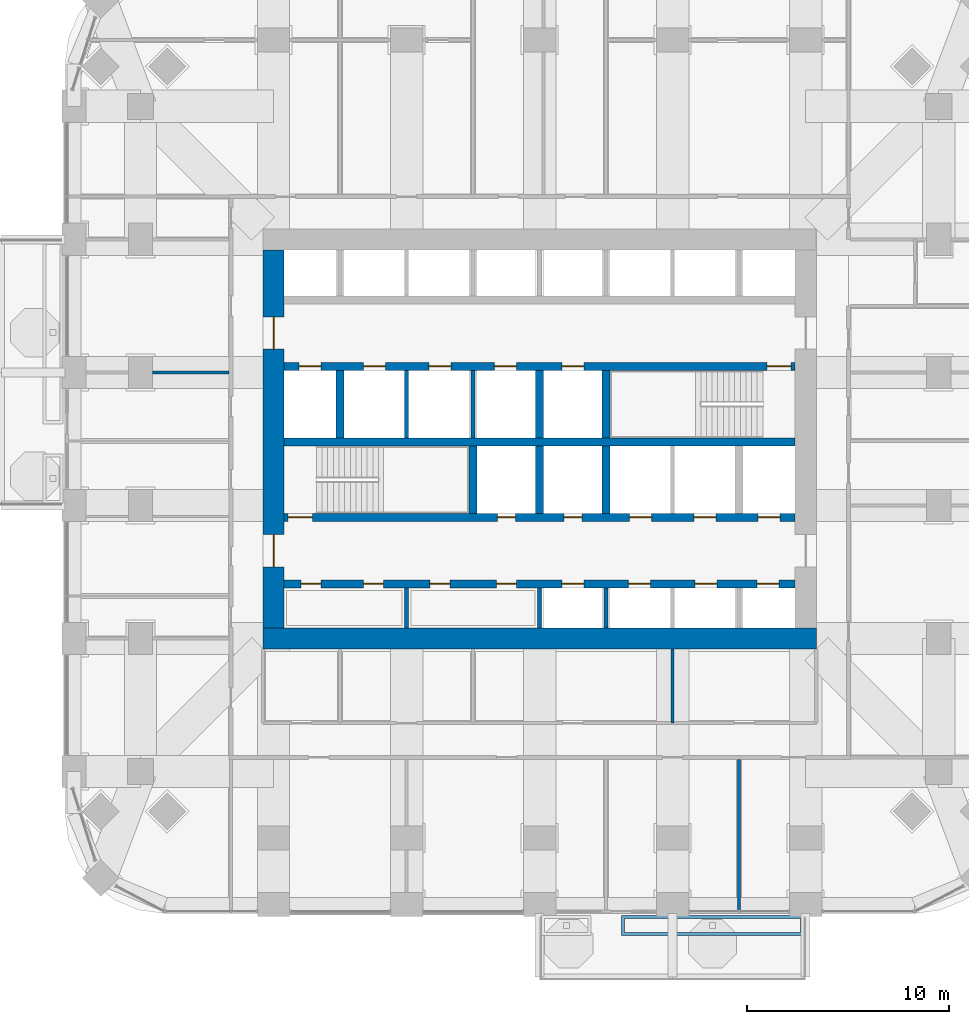
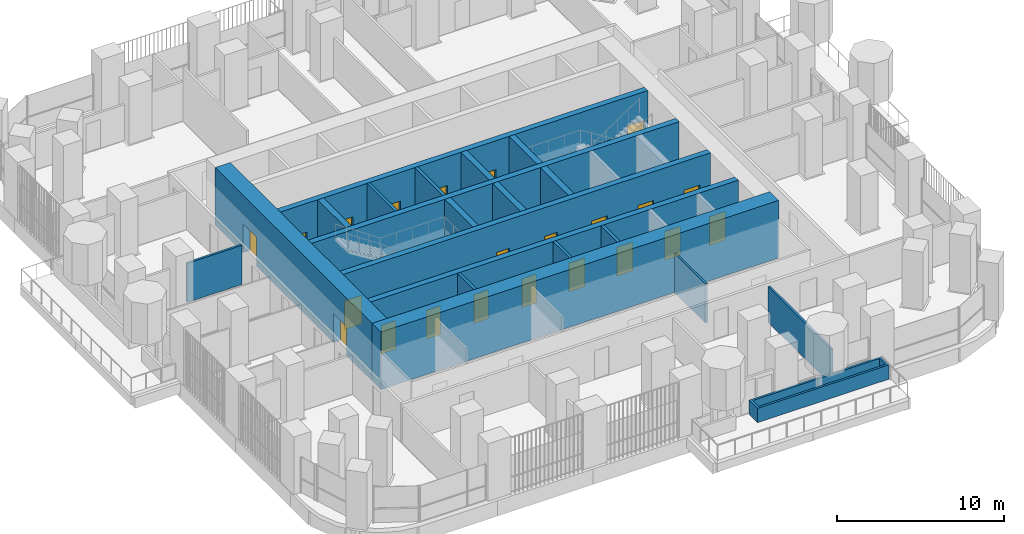
# One storey, part 15 of 22: 22 doors, 21 walls, 22 openings.
"""IFC4 building model written with IfcOpenShell, lengths in metres."""

from ifc_helpers import new_model, si_unit, direction, frame, frame_2d, origin, place, context, subcontext, project, spatial, polyline, rectangle, outline, extrude, material, layer, layer_set, type_object, element, fill, save


model = new_model("IFC4")

# Units and contexts
model_context = context("Model", 3, precision=1e-05, world=origin(), true_north=direction((0.0, 1.0)))
body_context = subcontext(model_context, "Body", "Model", "MODEL_VIEW")
ifc_project = project(units=[si_unit("LENGTHUNIT", "METRE"), si_unit("AREAUNIT", "SQUARE_METRE"), si_unit("VOLUMEUNIT", "CUBIC_METRE"), si_unit("PLANEANGLEUNIT", "RADIAN"), si_unit("MASSUNIT", "GRAM", prefix="KILO")], contexts=[model_context])

# Site, building, storey
site_placement = place(None, origin())
site = spatial("IfcSite", under=ifc_project, at=site_placement, CompositionType="ELEMENT")
building_placement = place(site_placement, origin())
building = spatial("IfcBuilding", under=site, at=building_placement, Name="Cobogo Forest Laboratory Tower", CompositionType="ELEMENT")
storey_placement = place(building_placement, frame((0.0, 0.0, 136.800048828125)))
storey = spatial("IfcBuildingStorey", under=building, at=storey_placement, Name="L31", CompositionType="ELEMENT", Elevation=136.800048828125)

# Wall, openings, doors
ifc_material_1 = material(Name="Concrete HA-50 (C50/60)", Category="concrete")
ifc_layer_1 = layer(ifc_material_1, 0.39990234375)
ifc_layer_set_1 = layer_set([ifc_layer_1], Name="CI400 core inner wall 400")
wall_type_1 = type_object("IfcWallType", Name="CI400 core inner wall 400", PredefinedType="SHEAR", material=ifc_layer_set_1)
wall_1_placement = place(storey_placement, frame((13.72509765625, 15.89990234375, 0.0), z_axis=(0.0, 0.0, 1.0), x_axis=(1.0, 0.0, 0.0)))
wall_1 = element("IfcWall", 1, at=wall_1_placement, inside=storey, type_object=wall_type_1, Name="Core wall CI-15.9 L31", PredefinedType="SHEAR", context=body_context, shape_type="SweptSolid", body=[
    extrude(rectangle(XDim=25.349853515625, YDim=0.39990234375, at=frame_2d((12.6748046875, 0.0))), origin(), (0.0, 0.0, 1.0), 4.199951171875),
])
opening_1_placement = place(wall_1_placement, frame((0.83740234375, 0.0, 0.0)))
opening_1 = element("IfcOpeningElement", 2, at=opening_1_placement, cuts=wall_1, Name="Opening L31-D13", PredefinedType="OPENING", context=body_context, shape_type="SweptSolid", body=[
    extrude(rectangle(XDim=1.0, YDim=2.10009765625, at=frame_2d((0.5, 1.050048828125))), frame((0.0, 0.2099609375, 0.0), z_axis=(0.0, -1.0, 0.0), x_axis=(1.0, 0.0, 0.0)), (0.0, 0.0, 1.0), 0.419921875),
])
opening_2_placement = place(wall_1_placement, frame((3.925048828125, 0.0, 0.0)))
opening_2 = element("IfcOpeningElement", 3, at=opening_2_placement, cuts=wall_1, Name="Opening L31-D14", PredefinedType="OPENING", context=body_context, shape_type="SweptSolid", body=[
    extrude(rectangle(XDim=1.0, YDim=2.10009765625, at=frame_2d((0.5, 1.050048828125))), frame((0.0, 0.2099609375, 0.0), z_axis=(0.0, -1.0, 0.0), x_axis=(1.0, 0.0, 0.0)), (0.0, 0.0, 1.0), 0.419921875),
])
opening_3_placement = place(wall_1_placement, frame((7.22509765625, 0.0, 0.0)))
opening_3 = element("IfcOpeningElement", 4, at=opening_3_placement, cuts=wall_1, Name="Opening L31-D15", PredefinedType="OPENING", context=body_context, shape_type="SweptSolid", body=[
    extrude(rectangle(XDim=1.0, YDim=2.10009765625, at=frame_2d((0.5, 1.050048828125))), frame((0.0, 0.2099609375, 0.0), z_axis=(0.0, -1.0, 0.0), x_axis=(1.0, 0.0, 0.0)), (0.0, 0.0, 1.0), 0.419921875),
])
opening_4_placement = place(wall_1_placement, frame((10.52490234375, 0.0, 0.0)))
opening_4 = element("IfcOpeningElement", 5, at=opening_4_placement, cuts=wall_1, Name="Opening L31-D16", PredefinedType="OPENING", context=body_context, shape_type="SweptSolid", body=[
    extrude(rectangle(XDim=1.0, YDim=2.10009765625, at=frame_2d((0.5, 1.050048828125))), frame((0.0, 0.2099609375, 0.0), z_axis=(0.0, -1.0, 0.0), x_axis=(1.0, 0.0, 0.0)), (0.0, 0.0, 1.0), 0.419921875),
])
opening_5_placement = place(wall_1_placement, frame((13.77490234375, 0.0, 0.0)))
opening_5 = element("IfcOpeningElement", 6, at=opening_5_placement, cuts=wall_1, Name="Opening L31-LD-LB1", PredefinedType="OPENING", context=body_context, shape_type="SweptSolid", body=[
    extrude(rectangle(XDim=1.10009765625, YDim=2.10009765625, at=frame_2d((0.550048828125, 1.050048828125))), frame((0.0, 0.2099609375, 0.0), z_axis=(0.0, -1.0, 0.0), x_axis=(1.0, 0.0, 0.0)), (0.0, 0.0, 1.0), 0.419921875),
])
opening_6_placement = place(wall_1_placement, frame((17.074951171875, 0.0, 0.0)))
opening_6 = element("IfcOpeningElement", 7, at=opening_6_placement, cuts=wall_1, Name="Opening L31-LD-LB2", PredefinedType="OPENING", context=body_context, shape_type="SweptSolid", body=[
    extrude(rectangle(XDim=1.10009765625, YDim=2.10009765625, at=frame_2d((0.550048828125, 1.050048828125))), frame((0.0, 0.2099609375, 0.0), z_axis=(0.0, -1.0, 0.0), x_axis=(1.0, 0.0, 0.0)), (0.0, 0.0, 1.0), 0.419921875),
])
opening_7_placement = place(wall_1_placement, frame((20.375, 0.0, 0.0)))
opening_7 = element("IfcOpeningElement", 8, at=opening_7_placement, cuts=wall_1, Name="Opening L31-LD-LB3", PredefinedType="OPENING", context=body_context, shape_type="SweptSolid", body=[
    extrude(rectangle(XDim=1.10009765625, YDim=2.10009765625, at=frame_2d((0.550048828125, 1.050048828125))), frame((0.0, 0.2099609375, 0.0), z_axis=(0.0, -1.0, 0.0), x_axis=(1.0, 0.0, 0.0)), (0.0, 0.0, 1.0), 0.419921875),
])
opening_8_placement = place(wall_1_placement, frame((23.46240234375, 0.0, 0.0)))
opening_8 = element("IfcOpeningElement", 9, at=opening_8_placement, cuts=wall_1, Name="Opening L31-LD-LB4", PredefinedType="OPENING", context=body_context, shape_type="SweptSolid", body=[
    extrude(rectangle(XDim=1.10009765625, YDim=2.10009765625, at=frame_2d((0.550048828125, 1.050048828125))), frame((0.0, 0.2099609375, 0.0), z_axis=(0.0, -1.0, 0.0), x_axis=(1.0, 0.0, 0.0)), (0.0, 0.0, 1.0), 0.419921875),
])
ifc_material_2 = material(Name="Steel fire door", Category="steel")
door_type_1 = type_object("IfcDoorType", Name="FD1 fire door 1000 EI2 60", OperationType="SINGLE_SWING_LEFT", PredefinedType="DOOR", material=ifc_material_2)
door_1_placement = place(opening_1_placement, origin())
door_1 = element("IfcDoor", 10, at=door_1_placement, inside=storey, type_object=door_type_1, Name="Door L31-SH-LA1", OperationType="SINGLE_SWING_LEFT", OverallHeight=2.10009765625, OverallWidth=1.0, PredefinedType="DOOR", context=body_context, shape_type="SweptSolid", body=[
    extrude(rectangle(XDim=1.0, YDim=2.10009765625, at=frame_2d((0.5, 1.050048828125))), frame((0.0, 0.02490234375, 0.0), z_axis=(0.0, -1.0, 0.0), x_axis=(1.0, 0.0, 0.0)), (0.0, 0.0, 1.0), 0.050048828125),
])
fill(opening_1, door_1)
door_2_placement = place(opening_2_placement, origin())
door_2 = element("IfcDoor", 11, at=door_2_placement, inside=storey, type_object=door_type_1, Name="Door L31-SH-LA2", OperationType="SINGLE_SWING_LEFT", OverallHeight=2.10009765625, OverallWidth=1.0, PredefinedType="DOOR", context=body_context, shape_type="SweptSolid", body=[
    extrude(rectangle(XDim=1.0, YDim=2.10009765625, at=frame_2d((0.5, 1.050048828125))), frame((0.0, 0.02490234375, 0.0), z_axis=(0.0, -1.0, 0.0), x_axis=(1.0, 0.0, 0.0)), (0.0, 0.0, 1.0), 0.050048828125),
])
fill(opening_2, door_2)
door_3_placement = place(opening_3_placement, origin())
door_3 = element("IfcDoor", 12, at=door_3_placement, inside=storey, type_object=door_type_1, Name="Door L31-SH-LA3", OperationType="SINGLE_SWING_LEFT", OverallHeight=2.10009765625, OverallWidth=1.0, PredefinedType="DOOR", context=body_context, shape_type="SweptSolid", body=[
    extrude(rectangle(XDim=1.0, YDim=2.10009765625, at=frame_2d((0.5, 1.050048828125))), frame((0.0, 0.02490234375, 0.0), z_axis=(0.0, -1.0, 0.0), x_axis=(1.0, 0.0, 0.0)), (0.0, 0.0, 1.0), 0.050048828125),
])
fill(opening_3, door_3)
door_4_placement = place(opening_4_placement, origin())
door_4 = element("IfcDoor", 13, at=door_4_placement, inside=storey, type_object=door_type_1, Name="Door L31-SH-LA4", OperationType="SINGLE_SWING_LEFT", OverallHeight=2.10009765625, OverallWidth=1.0, PredefinedType="DOOR", context=body_context, shape_type="SweptSolid", body=[
    extrude(rectangle(XDim=1.0, YDim=2.10009765625, at=frame_2d((0.5, 1.050048828125))), frame((0.0, 0.02490234375, 0.0), z_axis=(0.0, -1.0, 0.0), x_axis=(1.0, 0.0, 0.0)), (0.0, 0.0, 1.0), 0.050048828125),
])
fill(opening_4, door_4)
ifc_material_3 = material(Name="Stainless steel lift door", Category="steel")
door_type_2 = type_object("IfcDoorType", Name="LD lift landing door 1100", OperationType="DOUBLE_DOOR_SLIDING", PredefinedType="DOOR", material=ifc_material_3)
door_5_placement = place(opening_5_placement, origin())
door_5 = element("IfcDoor", 14, at=door_5_placement, inside=storey, type_object=door_type_2, Name="Lift landing door LB1 L31", OperationType="DOUBLE_DOOR_SLIDING", OverallHeight=2.10009765625, OverallWidth=1.10009765625, PredefinedType="DOOR", context=body_context, shape_type="SweptSolid", body=[
    extrude(rectangle(XDim=1.10009765625, YDim=2.10009765625, at=frame_2d((0.550048828125, 1.050048828125))), frame((0.0, 0.02490234375, 0.0), z_axis=(0.0, -1.0, 0.0), x_axis=(1.0, 0.0, 0.0)), (0.0, 0.0, 1.0), 0.050048828125),
])
fill(opening_5, door_5)
door_6_placement = place(opening_6_placement, origin())
door_6 = element("IfcDoor", 15, at=door_6_placement, inside=storey, type_object=door_type_2, Name="Lift landing door LB2 L31", OperationType="DOUBLE_DOOR_SLIDING", OverallHeight=2.10009765625, OverallWidth=1.10009765625, PredefinedType="DOOR", context=body_context, shape_type="SweptSolid", body=[
    extrude(rectangle(XDim=1.10009765625, YDim=2.10009765625, at=frame_2d((0.550048828125, 1.050048828125))), frame((0.0, 0.02490234375, 0.0), z_axis=(0.0, -1.0, 0.0), x_axis=(1.0, 0.0, 0.0)), (0.0, 0.0, 1.0), 0.050048828125),
])
fill(opening_6, door_6)
door_7_placement = place(opening_7_placement, origin())
door_7 = element("IfcDoor", 16, at=door_7_placement, inside=storey, type_object=door_type_2, Name="Lift landing door LB3 L31", OperationType="DOUBLE_DOOR_SLIDING", OverallHeight=2.10009765625, OverallWidth=1.10009765625, PredefinedType="DOOR", context=body_context, shape_type="SweptSolid", body=[
    extrude(rectangle(XDim=1.10009765625, YDim=2.10009765625, at=frame_2d((0.550048828125, 1.050048828125))), frame((0.0, 0.02490234375, 0.0), z_axis=(0.0, -1.0, 0.0), x_axis=(1.0, 0.0, 0.0)), (0.0, 0.0, 1.0), 0.050048828125),
])
fill(opening_7, door_7)
door_8_placement = place(opening_8_placement, origin())
door_8 = element("IfcDoor", 17, at=door_8_placement, inside=storey, type_object=door_type_2, Name="Lift landing door LB4 L31", OperationType="DOUBLE_DOOR_SLIDING", OverallHeight=2.10009765625, OverallWidth=1.10009765625, PredefinedType="DOOR", context=body_context, shape_type="SweptSolid", body=[
    extrude(rectangle(XDim=1.10009765625, YDim=2.10009765625, at=frame_2d((0.550048828125, 1.050048828125))), frame((0.0, 0.02490234375, 0.0), z_axis=(0.0, -1.0, 0.0), x_axis=(1.0, 0.0, 0.0)), (0.0, 0.0, 1.0), 0.050048828125),
])
fill(opening_8, door_8)

wall_2_placement = place(storey_placement, frame((13.72509765625, 19.199951171875, 0.0), z_axis=(0.0, 0.0, 1.0), x_axis=(1.0, 0.0, 0.0)))
wall_2 = element("IfcWall", 18, at=wall_2_placement, inside=storey, type_object=wall_type_1, Name="Core wall CI-19.2 L31", PredefinedType="SHEAR", context=body_context, shape_type="SweptSolid", body=[
    extrude(rectangle(XDim=25.349853515625, YDim=0.39990234375, at=frame_2d((12.6748046875, 0.0))), origin(), (0.0, 0.0, 1.0), 4.199951171875),
])
opening_9_placement = place(wall_2_placement, frame((10.574951171875, 0.0, 0.0)))
opening_9 = element("IfcOpeningElement", 19, at=opening_9_placement, cuts=wall_2, Name="Opening L31-D21", PredefinedType="OPENING", context=body_context, shape_type="SweptSolid", body=[
    extrude(rectangle(XDim=0.89990234375, YDim=2.10009765625, at=frame_2d((0.449951171875, 1.050048828125))), frame((0.0, 0.2099609375, 0.0), z_axis=(0.0, -1.0, 0.0), x_axis=(1.0, 0.0, 0.0)), (0.0, 0.0, 1.0), 0.419921875),
])
opening_10_placement = place(wall_2_placement, frame((13.875, 0.0, 0.0)))
opening_10 = element("IfcOpeningElement", 20, at=opening_10_placement, cuts=wall_2, Name="Opening L31-D22", PredefinedType="OPENING", context=body_context, shape_type="SweptSolid", body=[
    extrude(rectangle(XDim=0.89990234375, YDim=2.10009765625, at=frame_2d((0.449951171875, 1.050048828125))), frame((0.0, 0.2099609375, 0.0), z_axis=(0.0, -1.0, 0.0), x_axis=(1.0, 0.0, 0.0)), (0.0, 0.0, 1.0), 0.419921875),
])
opening_11_placement = place(wall_2_placement, frame((0.199951171875, 0.0, 0.0)))
opening_11 = element("IfcOpeningElement", 21, at=opening_11_placement, cuts=wall_2, Name="Opening L31-D20", PredefinedType="OPENING", context=body_context, shape_type="SweptSolid", body=[
    extrude(rectangle(XDim=1.199951171875, YDim=2.10009765625, at=frame_2d((0.60009765625, 1.050048828125))), frame((0.0, 0.2099609375, 0.0), z_axis=(0.0, -1.0, 0.0), x_axis=(1.0, 0.0, 0.0)), (0.0, 0.0, 1.0), 0.419921875),
])
opening_12_placement = place(wall_2_placement, frame((23.512451171875, 0.0, 0.0)))
opening_12 = element("IfcOpeningElement", 22, at=opening_12_placement, cuts=wall_2, Name="Opening L31-LD-FL2", PredefinedType="OPENING", context=body_context, shape_type="SweptSolid", body=[
    extrude(rectangle(XDim=1.10009765625, YDim=2.10009765625, at=frame_2d((0.550048828125, 1.050048828125))), frame((0.0, 0.2099609375, 0.0), z_axis=(0.0, -1.0, 0.0), x_axis=(1.0, 0.0, 0.0)), (0.0, 0.0, 1.0), 0.419921875),
])
opening_13_placement = place(wall_2_placement, frame((17.125, 0.0, 0.0)))
opening_13 = element("IfcOpeningElement", 23, at=opening_13_placement, cuts=wall_2, Name="Opening L31-LD-LS1", PredefinedType="OPENING", context=body_context, shape_type="SweptSolid", body=[
    extrude(rectangle(XDim=1.10009765625, YDim=2.10009765625, at=frame_2d((0.550048828125, 1.050048828125))), frame((0.0, 0.2099609375, 0.0), z_axis=(0.0, -1.0, 0.0), x_axis=(1.0, 0.0, 0.0)), (0.0, 0.0, 1.0), 0.419921875),
])
opening_14_placement = place(wall_2_placement, frame((20.324951171875, 0.0, 0.0)))
opening_14 = element("IfcOpeningElement", 24, at=opening_14_placement, cuts=wall_2, Name="Opening L31-LD-LS2", PredefinedType="OPENING", context=body_context, shape_type="SweptSolid", body=[
    extrude(rectangle(XDim=1.10009765625, YDim=2.10009765625, at=frame_2d((0.550048828125, 1.050048828125))), frame((0.0, 0.2099609375, 0.0), z_axis=(0.0, -1.0, 0.0), x_axis=(1.0, 0.0, 0.0)), (0.0, 0.0, 1.0), 0.419921875),
])
door_type_3 = type_object("IfcDoorType", Name="DS1 protected stair door 1200 EI2 60", OperationType="SINGLE_SWING_LEFT", PredefinedType="DOOR", material=ifc_material_2)
door_9_placement = place(opening_11_placement, origin())
door_9 = element("IfcDoor", 25, at=door_9_placement, inside=storey, type_object=door_type_3, Name="Door L31-ST1", OperationType="SINGLE_SWING_LEFT", OverallHeight=2.10009765625, OverallWidth=1.199951171875, PredefinedType="DOOR", context=body_context, shape_type="SweptSolid", body=[
    extrude(rectangle(XDim=1.199951171875, YDim=2.10009765625, at=frame_2d((0.60009765625, 1.050048828125))), frame((0.0, 0.02490234375, 0.0), z_axis=(0.0, -1.0, 0.0), x_axis=(1.0, 0.0, 0.0)), (0.0, 0.0, 1.0), 0.050048828125),
])
fill(opening_11, door_9)
door_type_4 = type_object("IfcDoorType", Name="FD4 riser access door 900 EI2 60", OperationType="SINGLE_SWING_LEFT", PredefinedType="DOOR", material=ifc_material_2)
door_10_placement = place(opening_9_placement, origin())
door_10 = element("IfcDoor", 26, at=door_10_placement, inside=storey, type_object=door_type_4, Name="Door L31-R1", OperationType="SINGLE_SWING_LEFT", OverallHeight=2.10009765625, OverallWidth=0.89990234375, PredefinedType="DOOR", context=body_context, shape_type="SweptSolid", body=[
    extrude(rectangle(XDim=0.89990234375, YDim=2.10009765625, at=frame_2d((0.449951171875, 1.050048828125))), frame((0.0, 0.02490234375, 0.0), z_axis=(0.0, -1.0, 0.0), x_axis=(1.0, 0.0, 0.0)), (0.0, 0.0, 1.0), 0.050048828125),
])
fill(opening_9, door_10)
door_11_placement = place(opening_10_placement, origin())
door_11 = element("IfcDoor", 27, at=door_11_placement, inside=storey, type_object=door_type_4, Name="Door L31-R2", OperationType="SINGLE_SWING_RIGHT", OverallHeight=2.10009765625, OverallWidth=0.89990234375, PredefinedType="DOOR", context=body_context, shape_type="SweptSolid", body=[
    extrude(rectangle(XDim=0.89990234375, YDim=2.10009765625, at=frame_2d((0.449951171875, 1.050048828125))), frame((0.0, 0.02490234375, 0.0), z_axis=(0.0, -1.0, 0.0), x_axis=(1.0, 0.0, 0.0)), (0.0, 0.0, 1.0), 0.050048828125),
])
fill(opening_10, door_11)
door_12_placement = place(opening_12_placement, origin())
door_12 = element("IfcDoor", 28, at=door_12_placement, inside=storey, type_object=door_type_2, Name="Lift landing door FL2 L31", OperationType="DOUBLE_DOOR_SLIDING", OverallHeight=2.10009765625, OverallWidth=1.10009765625, PredefinedType="DOOR", context=body_context, shape_type="SweptSolid", body=[
    extrude(rectangle(XDim=1.10009765625, YDim=2.10009765625, at=frame_2d((0.550048828125, 1.050048828125))), frame((0.0, 0.02490234375, 0.0), z_axis=(0.0, -1.0, 0.0), x_axis=(1.0, 0.0, 0.0)), (0.0, 0.0, 1.0), 0.050048828125),
])
fill(opening_12, door_12)
door_13_placement = place(opening_13_placement, origin())
door_13 = element("IfcDoor", 29, at=door_13_placement, inside=storey, type_object=door_type_2, Name="Lift landing door LS1 L31", OperationType="DOUBLE_DOOR_SLIDING", OverallHeight=2.10009765625, OverallWidth=1.10009765625, PredefinedType="DOOR", context=body_context, shape_type="SweptSolid", body=[
    extrude(rectangle(XDim=1.10009765625, YDim=2.10009765625, at=frame_2d((0.550048828125, 1.050048828125))), frame((0.0, 0.02490234375, 0.0), z_axis=(0.0, -1.0, 0.0), x_axis=(1.0, 0.0, 0.0)), (0.0, 0.0, 1.0), 0.050048828125),
])
fill(opening_13, door_13)
door_14_placement = place(opening_14_placement, origin())
door_14 = element("IfcDoor", 30, at=door_14_placement, inside=storey, type_object=door_type_2, Name="Lift landing door LS2 L31", OperationType="DOUBLE_DOOR_SLIDING", OverallHeight=2.10009765625, OverallWidth=1.10009765625, PredefinedType="DOOR", context=body_context, shape_type="SweptSolid", body=[
    extrude(rectangle(XDim=1.10009765625, YDim=2.10009765625, at=frame_2d((0.550048828125, 1.050048828125))), frame((0.0, 0.02490234375, 0.0), z_axis=(0.0, -1.0, 0.0), x_axis=(1.0, 0.0, 0.0)), (0.0, 0.0, 1.0), 0.050048828125),
])
fill(opening_14, door_14)

# Wall
wall_3_placement = place(storey_placement, frame((13.72509765625, 22.949951171875, 0.0), z_axis=(0.0, 0.0, 1.0), x_axis=(1.0, 0.0, 0.0)))
element("IfcWall", 31, at=wall_3_placement, inside=storey, type_object=wall_type_1, Name="Core wall CI-22.95 L31", PredefinedType="SHEAR", context=body_context, shape_type="SweptSolid", body=[
    extrude(rectangle(XDim=25.349853515625, YDim=0.39990234375, at=frame_2d((12.6748046875, 0.0))), origin(), (0.0, 0.0, 1.0), 4.199951171875),
])

# Wall, openings, doors
wall_4_placement = place(storey_placement, frame((13.72509765625, 26.699951171875, 0.0), z_axis=(0.0, 0.0, 1.0), x_axis=(1.0, 0.0, 0.0)))
wall_4 = element("IfcWall", 32, at=wall_4_placement, inside=storey, type_object=wall_type_1, Name="Core wall CI-26.7 L31", PredefinedType="SHEAR", context=body_context, shape_type="SweptSolid", body=[
    extrude(rectangle(XDim=25.349853515625, YDim=0.39990234375, at=frame_2d((12.6748046875, 0.0))), origin(), (0.0, 0.0, 1.0), 4.199951171875),
])
opening_15_placement = place(wall_4_placement, frame((23.949951171875, 0.0, 0.0)))
opening_15 = element("IfcOpeningElement", 33, at=opening_15_placement, cuts=wall_4, Name="Opening L31-D29", PredefinedType="OPENING", context=body_context, shape_type="SweptSolid", body=[
    extrude(rectangle(XDim=1.199951171875, YDim=2.10009765625, at=frame_2d((0.60009765625, 1.050048828125))), frame((0.0, 0.2099609375, 0.0), z_axis=(0.0, -1.0, 0.0), x_axis=(1.0, 0.0, 0.0)), (0.0, 0.0, 1.0), 0.419921875),
])
opening_16_placement = place(wall_4_placement, frame((0.737548828125, 0.0, 0.0)))
opening_16 = element("IfcOpeningElement", 34, at=opening_16_placement, cuts=wall_4, Name="Opening L31-LD-FL1", PredefinedType="OPENING", context=body_context, shape_type="SweptSolid", body=[
    extrude(rectangle(XDim=1.10009765625, YDim=2.10009765625, at=frame_2d((0.550048828125, 1.050048828125))), frame((0.0, 0.2099609375, 0.0), z_axis=(0.0, -1.0, 0.0), x_axis=(1.0, 0.0, 0.0)), (0.0, 0.0, 1.0), 0.419921875),
])
opening_17_placement = place(wall_4_placement, frame((3.925048828125, 0.0, 0.0)))
opening_17 = element("IfcOpeningElement", 35, at=opening_17_placement, cuts=wall_4, Name="Opening L31-LD-LS3", PredefinedType="OPENING", context=body_context, shape_type="SweptSolid", body=[
    extrude(rectangle(XDim=1.10009765625, YDim=2.10009765625, at=frame_2d((0.550048828125, 1.050048828125))), frame((0.0, 0.2099609375, 0.0), z_axis=(0.0, -1.0, 0.0), x_axis=(1.0, 0.0, 0.0)), (0.0, 0.0, 1.0), 0.419921875),
])
opening_18_placement = place(wall_4_placement, frame((7.175048828125, 0.0, 0.0)))
opening_18 = element("IfcOpeningElement", 36, at=opening_18_placement, cuts=wall_4, Name="Opening L31-LD-LS4", PredefinedType="OPENING", context=body_context, shape_type="SweptSolid", body=[
    extrude(rectangle(XDim=1.10009765625, YDim=2.10009765625, at=frame_2d((0.550048828125, 1.050048828125))), frame((0.0, 0.2099609375, 0.0), z_axis=(0.0, -1.0, 0.0), x_axis=(1.0, 0.0, 0.0)), (0.0, 0.0, 1.0), 0.419921875),
])
opening_19_placement = place(wall_4_placement, frame((10.425048828125, 0.0, 0.0)))
opening_19 = element("IfcOpeningElement", 37, at=opening_19_placement, cuts=wall_4, Name="Opening L31-LD-LS5", PredefinedType="OPENING", context=body_context, shape_type="SweptSolid", body=[
    extrude(rectangle(XDim=1.10009765625, YDim=2.10009765625, at=frame_2d((0.550048828125, 1.050048828125))), frame((0.0, 0.2099609375, 0.0), z_axis=(0.0, -1.0, 0.0), x_axis=(1.0, 0.0, 0.0)), (0.0, 0.0, 1.0), 0.419921875),
])
opening_20_placement = place(wall_4_placement, frame((13.77490234375, 0.0, 0.0)))
opening_20 = element("IfcOpeningElement", 38, at=opening_20_placement, cuts=wall_4, Name="Opening L31-LD-LS6", PredefinedType="OPENING", context=body_context, shape_type="SweptSolid", body=[
    extrude(rectangle(XDim=1.10009765625, YDim=2.10009765625, at=frame_2d((0.550048828125, 1.050048828125))), frame((0.0, 0.2099609375, 0.0), z_axis=(0.0, -1.0, 0.0), x_axis=(1.0, 0.0, 0.0)), (0.0, 0.0, 1.0), 0.419921875),
])
door_15_placement = place(opening_15_placement, origin())
door_15 = element("IfcDoor", 39, at=door_15_placement, inside=storey, type_object=door_type_3, Name="Door L31-ST2", OperationType="SINGLE_SWING_RIGHT", OverallHeight=2.10009765625, OverallWidth=1.199951171875, PredefinedType="DOOR", context=body_context, shape_type="SweptSolid", body=[
    extrude(rectangle(XDim=1.199951171875, YDim=2.10009765625, at=frame_2d((0.60009765625, 1.050048828125))), frame((0.0, 0.02490234375, 0.0), z_axis=(0.0, -1.0, 0.0), x_axis=(1.0, 0.0, 0.0)), (0.0, 0.0, 1.0), 0.050048828125),
])
fill(opening_15, door_15)
door_16_placement = place(opening_16_placement, origin())
door_16 = element("IfcDoor", 40, at=door_16_placement, inside=storey, type_object=door_type_2, Name="Lift landing door FL1 L31", OperationType="DOUBLE_DOOR_SLIDING", OverallHeight=2.10009765625, OverallWidth=1.10009765625, PredefinedType="DOOR", context=body_context, shape_type="SweptSolid", body=[
    extrude(rectangle(XDim=1.10009765625, YDim=2.10009765625, at=frame_2d((0.550048828125, 1.050048828125))), frame((0.0, 0.02490234375, 0.0), z_axis=(0.0, -1.0, 0.0), x_axis=(1.0, 0.0, 0.0)), (0.0, 0.0, 1.0), 0.050048828125),
])
fill(opening_16, door_16)
door_17_placement = place(opening_17_placement, origin())
door_17 = element("IfcDoor", 41, at=door_17_placement, inside=storey, type_object=door_type_2, Name="Lift landing door LS3 L31", OperationType="DOUBLE_DOOR_SLIDING", OverallHeight=2.10009765625, OverallWidth=1.10009765625, PredefinedType="DOOR", context=body_context, shape_type="SweptSolid", body=[
    extrude(rectangle(XDim=1.10009765625, YDim=2.10009765625, at=frame_2d((0.550048828125, 1.050048828125))), frame((0.0, 0.02490234375, 0.0), z_axis=(0.0, -1.0, 0.0), x_axis=(1.0, 0.0, 0.0)), (0.0, 0.0, 1.0), 0.050048828125),
])
fill(opening_17, door_17)
door_18_placement = place(opening_18_placement, origin())
door_18 = element("IfcDoor", 42, at=door_18_placement, inside=storey, type_object=door_type_2, Name="Lift landing door LS4 L31", OperationType="DOUBLE_DOOR_SLIDING", OverallHeight=2.10009765625, OverallWidth=1.10009765625, PredefinedType="DOOR", context=body_context, shape_type="SweptSolid", body=[
    extrude(rectangle(XDim=1.10009765625, YDim=2.10009765625, at=frame_2d((0.550048828125, 1.050048828125))), frame((0.0, 0.02490234375, 0.0), z_axis=(0.0, -1.0, 0.0), x_axis=(1.0, 0.0, 0.0)), (0.0, 0.0, 1.0), 0.050048828125),
])
fill(opening_18, door_18)
door_19_placement = place(opening_19_placement, origin())
door_19 = element("IfcDoor", 43, at=door_19_placement, inside=storey, type_object=door_type_2, Name="Lift landing door LS5 L31", OperationType="DOUBLE_DOOR_SLIDING", OverallHeight=2.10009765625, OverallWidth=1.10009765625, PredefinedType="DOOR", context=body_context, shape_type="SweptSolid", body=[
    extrude(rectangle(XDim=1.10009765625, YDim=2.10009765625, at=frame_2d((0.550048828125, 1.050048828125))), frame((0.0, 0.02490234375, 0.0), z_axis=(0.0, -1.0, 0.0), x_axis=(1.0, 0.0, 0.0)), (0.0, 0.0, 1.0), 0.050048828125),
])
fill(opening_19, door_19)
door_20_placement = place(opening_20_placement, origin())
door_20 = element("IfcDoor", 44, at=door_20_placement, inside=storey, type_object=door_type_2, Name="Lift landing door LS6 L31", OperationType="DOUBLE_DOOR_SLIDING", OverallHeight=2.10009765625, OverallWidth=1.10009765625, PredefinedType="DOOR", context=body_context, shape_type="SweptSolid", body=[
    extrude(rectangle(XDim=1.10009765625, YDim=2.10009765625, at=frame_2d((0.550048828125, 1.050048828125))), frame((0.0, 0.02490234375, 0.0), z_axis=(0.0, -1.0, 0.0), x_axis=(1.0, 0.0, 0.0)), (0.0, 0.0, 1.0), 0.050048828125),
])
fill(opening_20, door_20)

# Walls
for number, where, z_axis, x_axis, name in (
    (45, (23.10009765625, 19.39990234375, 0.0), (0.0, 0.0, 1.0), (0.0, 1.0, 0.0), "Core wall CX-23.1 L31"),
    (46, (26.39990234375, 19.39990234375, 0.0), (0.0, 0.0, 1.0), (0.0, 1.0, 0.0), "Core wall CX-26.4S L31"),
    (47, (29.699951171875, 19.39990234375, 0.0), (0.0, 0.0, 1.0), (0.0, 1.0, 0.0), "Core wall CX-29.7S L31"),
    (48, (16.5, 23.14990234375, 0.0), (0.0, 0.0, 1.0), (0.0, 1.0, 0.0), "Core wall CX-16.5 L31"),
    (49, (26.39990234375, 23.14990234375, 0.0), (0.0, 0.0, 1.0), (0.0, 1.0, 0.0), "Core wall CX-26.4N L31"),
    (50, (29.699951171875, 23.14990234375, 0.0), (0.0, 0.0, 1.0), (0.0, 1.0, 0.0), "Core wall CX-29.7N L31"),
):
    element("IfcWall", number, at=place(storey_placement, frame(where, z_axis=z_axis, x_axis=x_axis)), inside=storey, type_object=wall_type_1, Name=name, PredefinedType="SHEAR", context=body_context, shape_type="SweptSolid", body=[
        extrude(rectangle(XDim=3.35009765625, YDim=0.39990234375, at=frame_2d((1.675048828125, 0.0))), origin(), (0.0, 0.0, 1.0), 4.199951171875),
    ])
ifc_layer_2 = layer(ifc_material_1, 1.050048828125)
ifc_layer_set_2 = layer_set([ifc_layer_2], Name="CW1050 core outer wall 1050")
wall_type_2 = type_object("IfcWallType", Name="CW1050 core outer wall 1050", PredefinedType="SHEAR", material=ifc_layer_set_2)
wall_5_placement = place(storey_placement, frame((12.675048828125, 13.199951171875, 0.0), z_axis=(0.0, 0.0, 1.0), x_axis=(1.0, 0.0, 0.0)))
element("IfcWall", 51, at=wall_5_placement, inside=storey, type_object=wall_type_2, Name="Core wall CO-S L31", PredefinedType="SHEAR", context=body_context, shape_type="SweptSolid", body=[
    extrude(rectangle(XDim=27.449951171875, YDim=1.050048828125, at=frame_2d((13.72509765625, 0.0))), origin(), (0.0, 0.0, 1.0), 4.199951171875),
])

# Wall, openings, doors
wall_6_placement = place(storey_placement, frame((13.199951171875, 32.47509765625, 0.0), z_axis=(0.0, 0.0, 1.0), x_axis=(0.0, -1.0, 0.0)))
wall_6 = element("IfcWall", 52, at=wall_6_placement, inside=storey, type_object=wall_type_2, Name="Core wall CO-W L31", PredefinedType="SHEAR", context=body_context, shape_type="SweptSolid", body=[
    extrude(rectangle(XDim=18.75, YDim=1.050048828125, at=frame_2d((9.375, 0.0))), origin(), (0.0, 0.0, 1.0), 4.199951171875),
])
opening_21_placement = place(wall_6_placement, frame((14.125, 0.0, 0.0)))
opening_21 = element("IfcOpeningElement", 53, at=opening_21_placement, cuts=wall_6, Name="Opening L31-D18", PredefinedType="OPENING", context=body_context, shape_type="SweptSolid", body=[
    extrude(rectangle(XDim=1.60009765625, YDim=2.10009765625, at=frame_2d((0.800048828125, 1.050048828125))), frame((0.0, 0.534912109375, 0.0), z_axis=(0.0, -1.0, 0.0), x_axis=(1.0, 0.0, 0.0)), (0.0, 0.0, 1.0), 1.070068359375),
])
opening_22_placement = place(wall_6_placement, frame((3.324951171875, 0.0, 0.0)))
opening_22 = element("IfcOpeningElement", 54, at=opening_22_placement, cuts=wall_6, Name="Opening L31-D31", PredefinedType="OPENING", context=body_context, shape_type="SweptSolid", body=[
    extrude(rectangle(XDim=1.60009765625, YDim=2.10009765625, at=frame_2d((0.800048828125, 1.050048828125))), frame((0.0, 0.534912109375, 0.0), z_axis=(0.0, -1.0, 0.0), x_axis=(1.0, 0.0, 0.0)), (0.0, 0.0, 1.0), 1.070068359375),
])
door_type_5 = type_object("IfcDoorType", Name="DS2 protected lobby door pair 1600 EI2 60", OperationType="DOUBLE_DOOR_DOUBLE_SWING", PredefinedType="DOOR", material=ifc_material_2)
door_21_placement = place(opening_21_placement, origin())
door_21 = element("IfcDoor", 55, at=door_21_placement, inside=storey, type_object=door_type_5, Name="Door L31-CO-W-S", OperationType="DOUBLE_DOOR_DOUBLE_SWING", OverallHeight=2.10009765625, OverallWidth=1.60009765625, PredefinedType="DOOR", context=body_context, shape_type="SweptSolid", body=[
    extrude(rectangle(XDim=1.60009765625, YDim=2.10009765625, at=frame_2d((0.800048828125, 1.050048828125))), frame((0.0, 0.02490234375, 0.0), z_axis=(0.0, -1.0, 0.0), x_axis=(1.0, 0.0, 0.0)), (0.0, 0.0, 1.0), 0.050048828125),
])
fill(opening_21, door_21)
door_22_placement = place(opening_22_placement, origin())
door_22 = element("IfcDoor", 56, at=door_22_placement, inside=storey, type_object=door_type_5, Name="Door L31-CO-W-N", OperationType="DOUBLE_DOOR_DOUBLE_SWING", OverallHeight=2.10009765625, OverallWidth=1.60009765625, PredefinedType="DOOR", context=body_context, shape_type="SweptSolid", body=[
    extrude(rectangle(XDim=1.60009765625, YDim=2.10009765625, at=frame_2d((0.800048828125, 1.050048828125))), frame((0.0, 0.02490234375, 0.0), z_axis=(0.0, -1.0, 0.0), x_axis=(1.0, 0.0, 0.0)), (0.0, 0.0, 1.0), 0.050048828125),
])
fill(opening_22, door_22)

# Walls
ifc_material_4 = material(Name="Gypsum board on steel studs", Category="steel")
ifc_layer_3 = layer(ifc_material_4, 0.14990234375)
ifc_layer_set_3 = layer_set([ifc_layer_3], Name="PT1 laboratory partition 150")
wall_type_3 = type_object("IfcWallType", Name="PT1 laboratory partition 150", PredefinedType="PARTITIONING", material=ifc_layer_set_3)
wall_7_placement = place(storey_placement, frame((33.0, 12.675048828125, 0.0), z_axis=(0.0, 0.0, 1.0), x_axis=(0.0, -1.0, 0.0)))
element("IfcWall", 57, at=wall_7_placement, inside=storey, type_object=wall_type_3, Name="Partition CSTRIP-S33 L31", PredefinedType="PARTITIONING", context=body_context, shape_type="SweptSolid", body=[
    extrude(rectangle(XDim=3.675048828125, YDim=0.14990234375, at=frame_2d((1.83740234375, 0.0))), origin(), (0.0, 0.0, 1.0), 2.849853515625),
])
wall_8_placement = place(storey_placement, frame((36.300048828125, -0.27001953125, 0.0), z_axis=(0.0, 0.0, 1.0), x_axis=(0.0, 1.0, 0.0)))
element("IfcWall", 58, at=wall_8_placement, inside=storey, type_object=wall_type_3, Name="Partition CUT-S36.3-1 L31", PredefinedType="PARTITIONING", context=body_context, shape_type="SweptSolid", body=[
    extrude(rectangle(XDim=7.469970703125, YDim=0.14990234375, at=frame_2d((3.73486328125, 0.0))), origin(), (0.0, 0.0, 1.0), 2.599853515625),
])
wall_9_placement = place(storey_placement, frame((7.199951171875, 26.39990234375, 0.0), z_axis=(0.0, 0.0, 1.0), x_axis=(1.0, 0.0, 0.0)))
element("IfcWall", 59, at=wall_9_placement, inside=storey, type_object=wall_type_3, Name="Partition CUT-W26.4-2 L31", PredefinedType="PARTITIONING", context=body_context, shape_type="SweptSolid", body=[
    extrude(rectangle(XDim=3.775146484375, YDim=0.14990234375, at=frame_2d((1.8876953125, 0.0))), origin(), (0.0, 0.0, 1.0), 2.849853515625),
])
ifc_material_5 = material(Name="Concrete HA-40 (C40/50)", Category="concrete")
ifc_layer_4 = layer(ifc_material_5, 0.14990234375)
ifc_layer_set_4 = layer_set([ifc_layer_4], Name="Planter box 1000x1050")
wall_type_4 = type_object("IfcWallType", Name="Planter box 1000x1050", PredefinedType="USERDEFINED", material=ifc_layer_set_4)
wall_10_placement = place(storey_placement, origin())
element("IfcWall", 60, at=wall_10_placement, inside=storey, type_object=wall_type_4, Name="Planter BAL-S1-2 L31", ObjectType="PLANTER", PredefinedType="USERDEFINED", context=body_context, shape_type="SweptSolid", body=[
    extrude(outline(polyline([(30.449951171875, -1.550048828125), (39.5, -1.550048828125), (39.5, -0.550048828125), (30.449951171875, -0.550048828125), (30.449951171875, -1.550048828125)]), holes=[polyline([(30.60009765625, -1.39990234375), (39.35009765625, -1.39990234375), (39.35009765625, -0.699951171875), (30.60009765625, -0.699951171875), (30.60009765625, -1.39990234375)])]), origin(), (0.0, 0.0, 1.0), 1.050048828125),
])
ifc_material_6 = material(Name="Concrete block", Category="concrete")
ifc_layer_5 = layer(ifc_material_6, 0.199951171875)
ifc_layer_set_5 = layer_set([ifc_layer_5], Name="SW200 lift shaft separator 200")
wall_type_5 = type_object("IfcWallType", Name="SW200 lift shaft separator 200", PredefinedType="PARTITIONING", material=ifc_layer_set_5)
for number, where, z_axis, x_axis, name in (
    (61, (19.800048828125, 13.72509765625, 0.0), (0.0, 0.0, 1.0), (0.0, 1.0, 0.0), "Core wall SEP-S2 L31"),
    (62, (26.39990234375, 13.72509765625, 0.0), (0.0, 0.0, 1.0), (0.0, 1.0, 0.0), "Core wall SEP-S4 L31"),
    (63, (29.699951171875, 13.72509765625, 0.0), (0.0, 0.0, 1.0), (0.0, 1.0, 0.0), "Core wall SEP-S5 L31"),
):
    element("IfcWall", number, at=place(storey_placement, frame(where, z_axis=z_axis, x_axis=x_axis)), inside=storey, type_object=wall_type_5, Name=name, PredefinedType="PARTITIONING", context=body_context, shape_type="SweptSolid", body=[
        extrude(rectangle(XDim=1.974853515625, YDim=0.199951171875, at=frame_2d((0.9873046875, 0.0))), origin(), (0.0, 0.0, 1.0), 4.199951171875),
    ])
for number, where, z_axis, x_axis, name in (
    (64, (19.800048828125, 23.14990234375, 0.0), (0.0, 0.0, 1.0), (0.0, 1.0, 0.0), "Core wall SEP-M19.8 L31"),
    (65, (23.10009765625, 23.14990234375, 0.0), (0.0, 0.0, 1.0), (0.0, 1.0, 0.0), "Core wall SEP-M23.1 L31"),
):
    element("IfcWall", number, at=place(storey_placement, frame(where, z_axis=z_axis, x_axis=x_axis)), inside=storey, type_object=wall_type_5, Name=name, PredefinedType="PARTITIONING", context=body_context, shape_type="SweptSolid", body=[
        extrude(rectangle(XDim=3.35009765625, YDim=0.199951171875, at=frame_2d((1.675048828125, 0.0))), origin(), (0.0, 0.0, 1.0), 4.199951171875),
    ])

save(model, "model.ifc")
